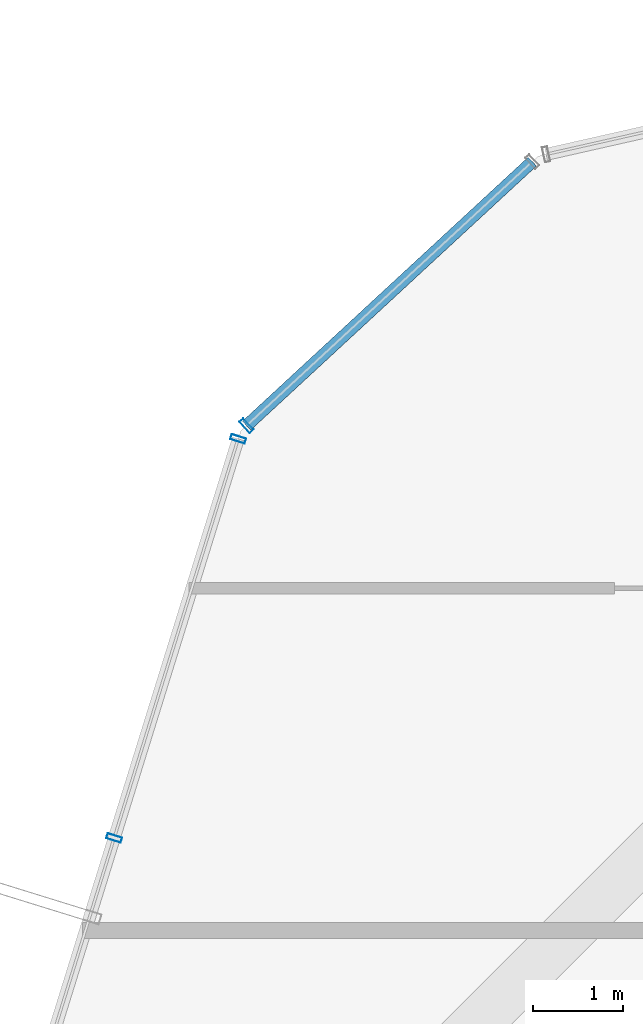
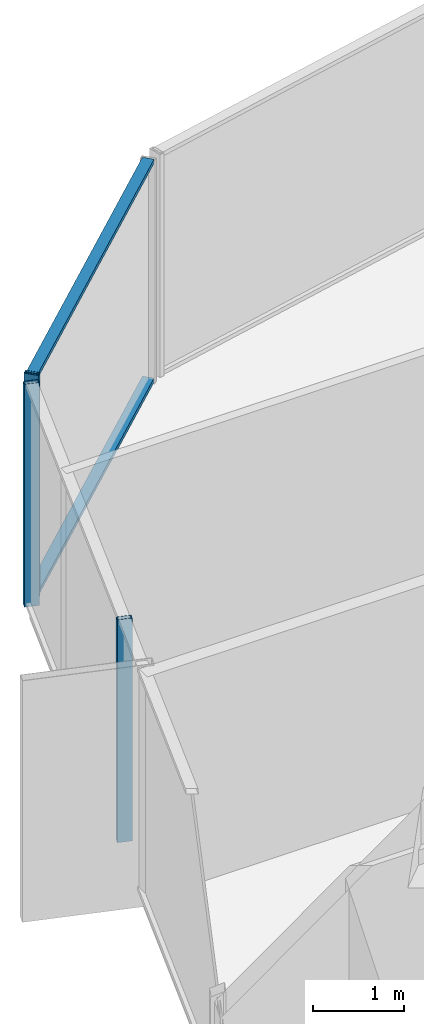
# One storey, part 22 of 39: 5 members, 2 elements without a shape of their own.
"""IFC4 building model written with IfcOpenShell, lengths in metres."""

import ifcopenshell
import ifcopenshell.guid

model = None  # the IFC model being written
_history = None  # IfcOwnerHistory: only IFC2X3 demands one
_inside = {}  # id of a spatial element -> (the spatial element, [elements in it])
_under = {}  # id of a project, library or spatial element -> (it, [spatial elements below it])
_declared = {}  # id of a project -> (the project, [libraries it declares])
_typed = {}  # id of a type object -> (the type object, [elements of that type])
_made_of = {}  # id of a material, layer set ... -> (it, [elements and type objects made of it])


def new_model(schema):
    """Start an empty IFC model of exactly this schema.

    Asked for "IFC4X3", IfcOpenShell would pick the latest addendum, in which some entities
    have other attributes; the version numbers below select the first issue.
    IFC2X3 requires an IfcOwnerHistory on every rooted entity: one is made here for all.
    """
    global model, _history
    if schema == "IFC4X3":
        model = ifcopenshell.file(schema_version=(4, 3, 0, 0))
    else:
        model = ifcopenshell.file(schema=schema)
    _inside.clear()
    _under.clear()
    _declared.clear()
    _typed.clear()
    _made_of.clear()
    _history = None
    if model.schema == "IFC2X3":
        org = make("IfcOrganization", Name="unknown")
        user = make(
            "IfcPersonAndOrganization",
            ThePerson=make("IfcPerson", FamilyName="unknown"),
            TheOrganization=org,
        )
        app = make(
            "IfcApplication",
            ApplicationDeveloper=org,
            Version="unknown",
            ApplicationFullName="unknown",
            ApplicationIdentifier="unknown",
        )
        _history = make(
            "IfcOwnerHistory",
            OwningUser=user,
            OwningApplication=app,
            ChangeAction="ADDED",
            CreationDate=0,
        )
    return model


def make(cls, **values):
    """One entity of the class cls with the attributes given. An attribute that is None is left unset."""
    return model.create_entity(
        cls, **{name: value for name, value in values.items() if value is not None}
    )


def rooted(cls, **values):
    """An entity with a GlobalId (a new one), such as an element, a storey or a relation."""
    return make(cls, GlobalId=ifcopenshell.guid.new(), OwnerHistory=_history, **values)


def si_unit(unit_type, name, prefix=None):
    """IfcSIUnit, for example si_unit("LENGTHUNIT", "METRE", prefix="MILLI")."""
    return make("IfcSIUnit", UnitType=unit_type, Prefix=prefix, Name=name)


def assignment(units):
    """IfcUnitAssignment: the units of a project."""
    return None if units is None else make("IfcUnitAssignment", Units=units)


def point(xyz):
    """IfcCartesianPoint."""
    return None if xyz is None else make("IfcCartesianPoint", Coordinates=xyz)


def direction(xyz):
    """IfcDirection."""
    return None if xyz is None else make("IfcDirection", DirectionRatios=xyz)


def frame(location, z_axis=None, x_axis=None):
    """IfcAxis2Placement3D, a coordinate frame: its origin and axes. An axis left out is left unset."""
    return make(
        "IfcAxis2Placement3D",
        Location=point(location),
        Axis=direction(z_axis),
        RefDirection=direction(x_axis),
    )


def frame_2d(location, x_axis=None):
    """IfcAxis2Placement2D, a coordinate frame in the plane: its origin and x axis."""
    return make(
        "IfcAxis2Placement2D", Location=point(location), RefDirection=direction(x_axis)
    )


def origin():
    """The frame at (0, 0, 0) with its axes left unset."""
    return frame((0.0, 0.0, 0.0))


def origin_2d():
    """The frame at (0, 0) in the plane with its x axis left unset."""
    return frame_2d((0.0, 0.0))


def place(relative_to, where):
    """IfcLocalPlacement: puts the frame where relative to a parent placement (None: the world)."""
    return make(
        "IfcLocalPlacement", PlacementRelTo=relative_to, RelativePlacement=where
    )


def context(
    kind, dimensions, precision=None, world=None, true_north=None, identifier=None
):
    """IfcGeometricRepresentationContext, for example the 3D "Model" context."""
    return make(
        "IfcGeometricRepresentationContext",
        ContextIdentifier=identifier,
        ContextType=kind,
        CoordinateSpaceDimension=dimensions,
        Precision=precision,
        WorldCoordinateSystem=world,
        TrueNorth=true_north,
    )


def subcontext(parent, identifier, kind, view, scale=None):
    """IfcGeometricRepresentationSubContext, for example "Body" below "Model"."""
    return make(
        "IfcGeometricRepresentationSubContext",
        ContextIdentifier=identifier,
        ContextType=kind,
        ParentContext=parent,
        TargetScale=scale,
        TargetView=view,
    )


def project(units=None, contexts=None):
    """IfcProject with its units and contexts."""
    return rooted(
        "IfcProject",
        Name="project",
        RepresentationContexts=contexts,
        UnitsInContext=assignment(units),
    )


def spatial(cls, under=None, at=None, **own):
    """A site, building, storey or space (cls), placed at a placement, below another one or the project."""
    s = rooted(cls, ObjectPlacement=at, **own)
    if under is not None:
        _under.setdefault(under.id(), (under, []))[1].append(s)
    return s


def profile(cls, at=None, kind="AREA", **sizes):
    """A parametric profile (cls). Its sizes go by their IFC names, for example OverallWidth=200.0."""
    return make(cls, ProfileType=kind, Position=at, **sizes)


def hollow_rectangle(**sizes):
    """IfcRectangleHollowProfileDef."""
    return profile("IfcRectangleHollowProfileDef", **sizes)


def extrude(swept, where, along, depth):
    """IfcExtrudedAreaSolid: the profile swept, set in the frame where, extruded along a direction by depth."""
    return make(
        "IfcExtrudedAreaSolid",
        SweptArea=swept,
        Position=where,
        ExtrudedDirection=direction(along),
        Depth=depth,
    )


def shape(context_of_items, identifier, shape_type, items):
    """IfcShapeRepresentation: the items that make up one representation, for example the "Body"."""
    return make(
        "IfcShapeRepresentation",
        ContextOfItems=context_of_items,
        RepresentationIdentifier=identifier,
        RepresentationType=shape_type,
        Items=items,
    )


def source(mapping_origin, context_of_items, identifier, shape_type, items):
    """IfcRepresentationMap: a shape defined once, which mapped items show again and again."""
    return make(
        "IfcRepresentationMap",
        MappingOrigin=mapping_origin,
        MappedRepresentation=shape(context_of_items, identifier, shape_type, items),
    )


def transform(
    local_origin,
    x_axis=None,
    y_axis=None,
    z_axis=None,
    scale=None,
    scale2=None,
    scale3=None,
    uniform=True,
):
    """IfcCartesianTransformationOperator3D, or its non-uniform kind. x_axis, y_axis, z_axis: its Axis1, 2, 3."""
    if uniform:
        return make(
            "IfcCartesianTransformationOperator3D",
            Axis1=direction(x_axis),
            Axis2=direction(y_axis),
            LocalOrigin=point(local_origin),
            Scale=scale,
            Axis3=direction(z_axis),
        )
    return make(
        "IfcCartesianTransformationOperator3DnonUniform",
        Axis1=direction(x_axis),
        Axis2=direction(y_axis),
        LocalOrigin=point(local_origin),
        Scale=scale,
        Axis3=direction(z_axis),
        Scale2=scale2,
        Scale3=scale3,
    )


def mapped(mapping_source, mapping_target):
    """IfcMappedItem: shows the shape of a source again, moved by a transform."""
    return make(
        "IfcMappedItem", MappingSource=mapping_source, MappingTarget=mapping_target
    )


def material(Name=None, Category=None):
    """IfcMaterial."""
    return make("IfcMaterial", Name=Name, Category=Category)


def layer(
    of_material, thickness, ventilated=None, Name=None, Category=None, Priority=None
):
    """IfcMaterialLayer: one layer of a wall or slab, of a material (None: an air gap)."""
    return make(
        "IfcMaterialLayer",
        Material=of_material,
        LayerThickness=thickness,
        IsVentilated=ventilated,
        Name=Name,
        Category=Category,
        Priority=Priority,
    )


def layer_set(layers, Name=None):
    """IfcMaterialLayerSet."""
    return make("IfcMaterialLayerSet", MaterialLayers=layers, LayerSetName=Name)


def material_profile(
    of_material, cross_section, Name=None, Category=None, Priority=None
):
    """IfcMaterialProfile: a cross section and its material."""
    return make(
        "IfcMaterialProfile",
        Name=Name,
        Material=of_material,
        Profile=cross_section,
        Priority=Priority,
        Category=Category,
    )


def profile_set(profiles, Name=None, composite=None):
    """IfcMaterialProfileSet."""
    return make(
        "IfcMaterialProfileSet",
        Name=Name,
        MaterialProfiles=profiles,
        CompositeProfile=composite,
    )


def made_of(thing, what):
    """Note that an element or type object is made of a material, layer set ...; save() writes the relation."""
    if what is not None:
        _made_of.setdefault(what.id(), (what, []))[1].append(thing)
    return thing


def type_object(cls, material=None, **own):
    """A type object (cls), such as IfcWallType, which elements share."""
    return made_of(rooted(cls, **own), material)


def element(
    cls,
    number,
    at=None,
    inside=None,
    cuts=None,
    type_object=None,
    material=None,
    context=None,
    identifier="Body",
    shape_type=None,
    held_by="IfcProductDefinitionShape",
    body=None,
    shapes=None,
    **own,
):
    """One element of the class cls, such as IfcWall. Its Tag is "e" and its number.

    at: its placement. inside: the storey or other place that contains it. cuts: it is an
    opening in that element (IfcRelVoidsElement). A single representation is given by context,
    identifier, shape_type and body (its items); several are given by shapes. held_by: the class
    of the entity that holds the representations. save() writes the other relations.
    """
    e = rooted(cls, Tag="e%d" % number, ObjectPlacement=at, **own)
    if body is not None:
        shapes = [shape(context, identifier, shape_type, body)]
    if shapes is not None:
        e.Representation = make(held_by, Representations=shapes)
    if inside is not None:
        _inside.setdefault(inside.id(), (inside, []))[1].append(e)
    if cuts is not None:
        rooted(
            "IfcRelVoidsElement", RelatingBuildingElement=cuts, RelatedOpeningElement=e
        )
    if type_object is not None:
        _typed.setdefault(type_object.id(), (type_object, []))[1].append(e)
    return made_of(e, material)


def aggregate(whole, parts):
    """IfcRelAggregates: a whole, such as a stair, and the parts it consists of."""
    return rooted("IfcRelAggregates", RelatingObject=whole, RelatedObjects=parts)


def save(model, path):
    """Write the relations noted so far, then the file.

    IfcRelAggregates (storeys below a building ...), IfcRelContainedInSpatialStructure (elements
    in a storey), IfcRelDefinesByType, IfcRelAssociatesMaterial and IfcRelDeclares: one each for
    every whole, place, type object, material and project.
    """
    for whole, parts in _under.values():
        aggregate(whole, parts)
    for where, things in _inside.values():
        rooted(
            "IfcRelContainedInSpatialStructure",
            RelatedElements=things,
            RelatingStructure=where,
        )
    for kind, things in _typed.values():
        rooted("IfcRelDefinesByType", RelatedObjects=things, RelatingType=kind)
    for what, things in _made_of.values():
        rooted("IfcRelAssociatesMaterial", RelatedObjects=things, RelatingMaterial=what)
    for by, libraries in _declared.values():
        rooted("IfcRelDeclares", RelatingContext=by, RelatedDefinitions=libraries)
    model.write(path)


model = new_model("IFC4")

# Units and contexts
model_context = context("Model", 3, precision=1e-05, world=origin(), true_north=direction((0.0, 1.0)))
body_context = subcontext(model_context, "Body", "Model", "MODEL_VIEW")
ifc_project = project(units=[si_unit("LENGTHUNIT", "METRE"), si_unit("AREAUNIT", "SQUARE_METRE"), si_unit("VOLUMEUNIT", "CUBIC_METRE"), si_unit("PLANEANGLEUNIT", "RADIAN"), si_unit("MASSUNIT", "GRAM", prefix="KILO")], contexts=[model_context])

# Site, building, storey
site_placement = place(None, origin())
site = spatial("IfcSite", under=ifc_project, at=site_placement, CompositionType="ELEMENT")
building_placement = place(site_placement, origin())
building = spatial("IfcBuilding", under=site, at=building_placement, Name="Veraguas Prism Commons", CompositionType="ELEMENT")
storey_placement = place(building_placement, frame((0.0, 0.0, 67.35009765625)))
storey = spatial("IfcBuildingStorey", under=building, at=storey_placement, Name="L18", CompositionType="ELEMENT", Elevation=67.35009765625)

# Curtain wall, members
ifc_material = material(Name="Anodised aluminium EN AW-6063 T6", Category="aluminium")
ifc_layer = layer(ifc_material, 0.169921875, Name="Unitised Flush Curtain Wall Zone 1", Category="aluminium")
ifc_layer_set = layer_set([ifc_layer], Name="Anodised aluminium EN AW-6063 T6")
curtain_wall_type = type_object("IfcCurtainWallType", Name="Unitised Flush Curtain Wall Zone 1", PredefinedType="NOTDEFINED", material=ifc_layer_set)
curtain_wall_1_placement = place(storey_placement, origin())
curtain_wall_1 = element("IfcCurtainWall", 1, at=curtain_wall_1_placement, inside=storey, type_object=curtain_wall_type, Name="Tower Facade Curtain Wall L18-F3", PredefinedType="NOTDEFINED")
ifc_material_profile_1 = material_profile(ifc_material, hollow_rectangle(XDim=0.06005859375, YDim=0.169921875, WallThickness=0.00390625, at=origin_2d()), Name="AL60X170X4")
ifc_profile_set_1 = profile_set([ifc_material_profile_1], Name="Anodised aluminium EN AW-6063 T6")
member_type_1 = type_object("IfcMemberType", Name="Curtain Wall Mullion Lower AL 60x170x4", PredefinedType="MULLION", material=ifc_profile_set_1)
shared_shape_1 = source(origin(), body_context, "Body", "SweptSolid", [
    extrude(hollow_rectangle(XDim=0.06005859375, YDim=0.169921875, WallThickness=0.00390625, at=origin_2d()), origin(), (0.0, 0.0, 1.0), 3.0),
])
member_1_placement = place(storey_placement, frame((6.914306640625, 39.0595703125, 0.0), z_axis=(0.0, 0.0, 1.0), x_axis=(-0.296709919616, -0.954967655788, 0.0)))
member_1 = element("IfcMember", 2, at=member_1_placement, type_object=member_type_1, Name="CW-Z1 Mullion 1", PredefinedType="MULLION", context=body_context, shape_type="MappedRepresentation", body=[
    mapped(shared_shape_1, transform((0.0, 0.0, 0.0), scale=1.0)),
])
member_2_placement = place(storey_placement, frame((5.537353515625, 34.627685546875, 0.0), z_axis=(0.0, 0.0, 1.0), x_axis=(-0.296709919616, -0.954967655788, 0.0)))
member_2 = element("IfcMember", 3, at=member_2_placement, type_object=member_type_1, Name="CW-Z1 Mullion 2", PredefinedType="MULLION", context=body_context, shape_type="MappedRepresentation", body=[
    mapped(shared_shape_1, transform((0.0, 0.0, 0.0), scale=1.0)),
])
aggregate(curtain_wall_1, [member_1, member_2])

curtain_wall_2_placement = place(storey_placement, origin())
curtain_wall_2 = element("IfcCurtainWall", 4, at=curtain_wall_2_placement, inside=storey, type_object=curtain_wall_type, Name="Chamfer Curtain Wall L18-C3", PredefinedType="NOTDEFINED")
member_3_placement = place(storey_placement, frame((7.007080078125, 39.20654296875, 0.0), z_axis=(0.0, 0.0, 1.0), x_axis=(-0.734433864248, -0.67868026275, 0.0)))
member_3 = element("IfcMember", 5, at=member_3_placement, type_object=member_type_1, Name="CW-Z1 Mullion 2", PredefinedType="MULLION", context=body_context, shape_type="MappedRepresentation", body=[
    mapped(shared_shape_1, transform((0.0, 0.0, 0.0), scale=1.0)),
])
ifc_material_profile_2 = material_profile(ifc_material, hollow_rectangle(XDim=0.054931640625, YDim=0.135009765625, WallThickness=0.0029296875, at=origin_2d()), Name="AL55X135X3")
ifc_profile_set_2 = profile_set([ifc_material_profile_2], Name="Anodised aluminium EN AW-6063 T6")
member_type_2 = type_object("IfcMemberType", Name="Curtain Wall Transom Standard AL 55x135x3", PredefinedType="USERDEFINED", material=ifc_profile_set_2)
shared_shape_2 = source(origin(), body_context, "Body", "SweptSolid", [
    extrude(hollow_rectangle(XDim=0.054931640625, YDim=0.135009765625, WallThickness=0.0029296875, at=origin_2d()), origin(), (0.0, 0.0, 1.0), 4.320068359375),
])
member_4_placement = place(storey_placement, frame((10.179931640625, 42.138427734375, 0.02734375), z_axis=(-0.734445846777, -0.678667295625, 0.0), x_axis=(0.0, 0.0, 1.0)))
member_4 = element("IfcMember", 6, at=member_4_placement, type_object=member_type_2, Name="CW-Z1 Transom 1", ObjectType="TRANSOM", PredefinedType="USERDEFINED", context=body_context, shape_type="MappedRepresentation", body=[
    mapped(shared_shape_2, transform((0.0, 0.0, 0.0), scale=1.0)),
])
member_5_placement = place(storey_placement, frame((10.179931640625, 42.138427734375, 2.972412109375), z_axis=(-0.734445846777, -0.678667295625, 0.0), x_axis=(0.0, 0.0, 1.0)))
member_5 = element("IfcMember", 7, at=member_5_placement, type_object=member_type_2, Name="CW-Z1 Transom 2", ObjectType="TRANSOM", PredefinedType="USERDEFINED", context=body_context, shape_type="MappedRepresentation", body=[
    mapped(shared_shape_2, transform((0.0, 0.0, 0.0), scale=1.0)),
])
aggregate(curtain_wall_2, [member_3, member_4, member_5])

save(model, "model.ifc")
